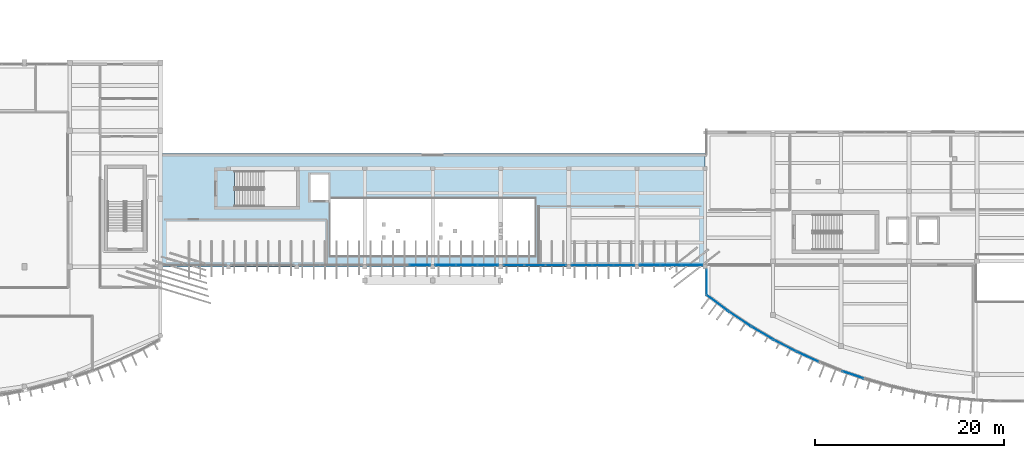
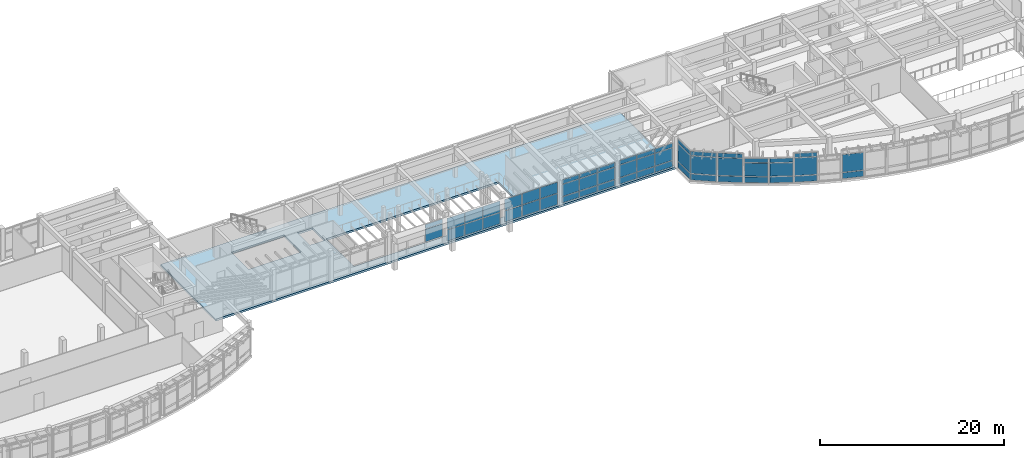
# One storey, part 31 of 60: 52 plates, 1 slab, 12 elements without a shape of their own.
"""IFC4 building model written with IfcOpenShell, lengths in metres."""

from ifc_helpers import new_model, si_unit, direction, frame, origin, origin_2d, place, context, subcontext, project, spatial, polyline, rectangle, outline, extrude, material, layer, layer_set, type_object, element, aggregate, save


model = new_model("IFC4")

# Units and contexts
model_context = context("Model", 3, precision=1e-05, world=origin(), true_north=direction((0.0, 1.0)))
body_context = subcontext(model_context, "Body", "Model", "MODEL_VIEW")
ifc_project = project(units=[si_unit("LENGTHUNIT", "METRE"), si_unit("AREAUNIT", "SQUARE_METRE"), si_unit("VOLUMEUNIT", "CUBIC_METRE"), si_unit("PLANEANGLEUNIT", "RADIAN"), si_unit("MASSUNIT", "GRAM", prefix="KILO")], contexts=[model_context])

# Site, building, storey
site_placement = place(None, origin())
site = spatial("IfcSite", under=ifc_project, at=site_placement, CompositionType="ELEMENT")
building_placement = place(site_placement, origin())
building = spatial("IfcBuilding", under=site, at=building_placement, Name="Brisavento Harbour Community Centre", CompositionType="ELEMENT")
storey_placement = place(building_placement, frame((0.0, 0.0, 4.5)))
storey = spatial("IfcBuildingStorey", under=building, at=storey_placement, Name="L01", CompositionType="ELEMENT", Elevation=4.5)

# Curtain wall, plates
ifc_material_1 = material(Name="Marine-anodised aluminium AW-6063-T6", Category="aluminium")
ifc_layer_1 = layer(ifc_material_1, 0.179931640625, Name="Marine-anodised aluminium AW-6063-T6")
ifc_layer_set_1 = layer_set([ifc_layer_1], Name="Marine-anodised aluminium AW-6063-T6")
curtain_wall_type_1 = type_object("IfcCurtainWallType", Name="CW-SYS-23", PredefinedType="USERDEFINED", material=ifc_layer_set_1)
curtain_wall_1_placement = place(storey_placement, origin())
curtain_wall_1 = element("IfcCurtainWall", 1, at=curtain_wall_1_placement, inside=storey, type_object=curtain_wall_type_1, Name="L01 V2 unitised curtain wall 051", ObjectType="UNITISED CURTAIN WALL", PredefinedType="USERDEFINED")
ifc_material_2 = material(Name="Solar-control laminated low-E glass", Category="glass")
ifc_layer_2 = layer(ifc_material_2, 0.02392578125, Name="Solar-control laminated low-E glass")
ifc_layer_set_2 = layer_set([ifc_layer_2], Name="Solar-control laminated low-E glass")
plate_type_1 = type_object("IfcPlateType", Name="CWP-GLZ-1", PredefinedType="CURTAIN_PANEL", material=ifc_layer_set_2)
plate_1_placement = place(storey_placement, frame((99.441162109375, 14.580078125, 0.074951171875), z_axis=(0.0, 0.0, 1.0), x_axis=(-1.0, 0.0, 0.0)))
plate_1 = element("IfcPlate", 2, at=plate_1_placement, type_object=plate_type_1, Name="CW-23 panel 1.1", PredefinedType="CURTAIN_PANEL", context=body_context, shape_type="SweptSolid", body=[
    extrude(rectangle(XDim=2.1474609375, YDim=0.02392578125, at=origin_2d()), origin(), (0.0, 0.0, 1.0), 0.78759765625),
])
plate_2_placement = place(storey_placement, frame((99.441162109375, 14.580078125, 0.9375), z_axis=(0.0, 0.0, 1.0), x_axis=(-1.0, 0.0, 0.0)))
plate_2 = element("IfcPlate", 3, at=plate_2_placement, type_object=plate_type_1, Name="CW-23 panel 1.2", PredefinedType="CURTAIN_PANEL", context=body_context, shape_type="SweptSolid", body=[
    extrude(rectangle(XDim=2.1474609375, YDim=0.02392578125, at=origin_2d()), origin(), (0.0, 0.0, 1.0), 1.574951171875),
])
plate_3_placement = place(storey_placement, frame((99.441162109375, 14.580078125, 2.58740234375), z_axis=(0.0, 0.0, 1.0), x_axis=(-1.0, 0.0, 0.0)))
plate_3 = element("IfcPlate", 4, at=plate_3_placement, type_object=plate_type_1, Name="CW-23 panel 1.3", PredefinedType="CURTAIN_PANEL", context=body_context, shape_type="SweptSolid", body=[
    extrude(rectangle(XDim=2.1474609375, YDim=0.02392578125, at=origin_2d()), origin(), (0.0, 0.0, 1.0), 0.53759765625),
])
plate_4_placement = place(storey_placement, frame((97.199951171875, 14.580078125, 0.074951171875), z_axis=(0.0, 0.0, 1.0), x_axis=(-1.0, 0.0, 0.0)))
plate_4 = element("IfcPlate", 5, at=plate_4_placement, type_object=plate_type_1, Name="CW-23 panel 2.1", PredefinedType="CURTAIN_PANEL", context=body_context, shape_type="SweptSolid", body=[
    extrude(rectangle(XDim=2.18505859375, YDim=0.02392578125, at=origin_2d()), origin(), (0.0, 0.0, 1.0), 0.78759765625),
])
plate_5_placement = place(storey_placement, frame((97.199951171875, 14.580078125, 0.9375), z_axis=(0.0, 0.0, 1.0), x_axis=(-1.0, 0.0, 0.0)))
plate_5 = element("IfcPlate", 6, at=plate_5_placement, type_object=plate_type_1, Name="CW-23 panel 2.2", PredefinedType="CURTAIN_PANEL", context=body_context, shape_type="SweptSolid", body=[
    extrude(rectangle(XDim=2.18505859375, YDim=0.02392578125, at=origin_2d()), origin(), (0.0, 0.0, 1.0), 1.574951171875),
])
plate_6_placement = place(storey_placement, frame((97.199951171875, 14.580078125, 2.58740234375), z_axis=(0.0, 0.0, 1.0), x_axis=(-1.0, 0.0, 0.0)))
plate_6 = element("IfcPlate", 7, at=plate_6_placement, type_object=plate_type_1, Name="CW-23 panel 2.3", PredefinedType="CURTAIN_PANEL", context=body_context, shape_type="SweptSolid", body=[
    extrude(rectangle(XDim=2.18505859375, YDim=0.02392578125, at=origin_2d()), origin(), (0.0, 0.0, 1.0), 0.53759765625),
])
plate_7_placement = place(storey_placement, frame((94.958740234375, 14.580078125, 0.074951171875), z_axis=(0.0, 0.0, 1.0), x_axis=(-1.0, 0.0, 0.0)))
plate_7 = element("IfcPlate", 8, at=plate_7_placement, type_object=plate_type_1, Name="CW-23 panel 3.1", PredefinedType="CURTAIN_PANEL", context=body_context, shape_type="SweptSolid", body=[
    extrude(rectangle(XDim=2.1474609375, YDim=0.02392578125, at=origin_2d()), origin(), (0.0, 0.0, 1.0), 0.78759765625),
])
plate_8_placement = place(storey_placement, frame((94.958740234375, 14.580078125, 0.9375), z_axis=(0.0, 0.0, 1.0), x_axis=(-1.0, 0.0, 0.0)))
plate_8 = element("IfcPlate", 9, at=plate_8_placement, type_object=plate_type_1, Name="CW-23 panel 3.2", PredefinedType="CURTAIN_PANEL", context=body_context, shape_type="SweptSolid", body=[
    extrude(rectangle(XDim=2.1474609375, YDim=0.02392578125, at=origin_2d()), origin(), (0.0, 0.0, 1.0), 1.574951171875),
])
plate_9_placement = place(storey_placement, frame((94.958740234375, 14.580078125, 2.58740234375), z_axis=(0.0, 0.0, 1.0), x_axis=(-1.0, 0.0, 0.0)))
plate_9 = element("IfcPlate", 10, at=plate_9_placement, type_object=plate_type_1, Name="CW-23 panel 3.3", PredefinedType="CURTAIN_PANEL", context=body_context, shape_type="SweptSolid", body=[
    extrude(rectangle(XDim=2.1474609375, YDim=0.02392578125, at=origin_2d()), origin(), (0.0, 0.0, 1.0), 0.53759765625),
])
aggregate(curtain_wall_1, [plate_1, plate_2, plate_3, plate_4, plate_5, plate_6, plate_7, plate_8, plate_9])

ifc_layer_3 = layer(ifc_material_1, 0.179931640625, Name="Marine-anodised aluminium AW-6063-T6")
ifc_layer_set_3 = layer_set([ifc_layer_3], Name="Marine-anodised aluminium AW-6063-T6")
curtain_wall_type_2 = type_object("IfcCurtainWallType", Name="CW-SYS-05", PredefinedType="USERDEFINED", material=ifc_layer_set_3)
curtain_wall_2_placement = place(storey_placement, origin())
curtain_wall_2 = element("IfcCurtainWall", 11, at=curtain_wall_2_placement, inside=storey, type_object=curtain_wall_type_2, Name="L01 V3 unitised curtain wall 061", ObjectType="UNITISED CURTAIN WALL", PredefinedType="USERDEFINED")
plate_10_placement = place(storey_placement, frame((116.483154296875, 6.04931640625, 0.06494140625), z_axis=(0.0, 0.0, 1.0), x_axis=(-0.887026600781, 0.461718322689, 0.0)))
plate_10 = element("IfcPlate", 12, at=plate_10_placement, type_object=plate_type_1, Name="CW-05 panel 1.1", PredefinedType="CURTAIN_PANEL", context=body_context, shape_type="SweptSolid", body=[
    extrude(rectangle(XDim=2.53955078125, YDim=0.02392578125, at=origin_2d()), origin(), (0.0, 0.0, 1.0), 0.802490234375),
])
plate_11_placement = place(storey_placement, frame((116.483154296875, 6.04931640625, 0.9326171875), z_axis=(0.0, 0.0, 1.0), x_axis=(-0.887026600781, 0.461718322689, 0.0)))
plate_11 = element("IfcPlate", 13, at=plate_11_placement, type_object=plate_type_1, Name="CW-05 panel 1.2", PredefinedType="CURTAIN_PANEL", context=body_context, shape_type="SweptSolid", body=[
    extrude(rectangle(XDim=2.53955078125, YDim=0.02392578125, at=origin_2d()), origin(), (0.0, 0.0, 1.0), 1.735107421875),
])
plate_12_placement = place(storey_placement, frame((116.483154296875, 6.04931640625, 2.732421875), z_axis=(0.0, 0.0, 1.0), x_axis=(-0.887026600781, 0.461718322689, 0.0)))
plate_12 = element("IfcPlate", 14, at=plate_12_placement, type_object=plate_type_1, Name="CW-05 panel 1.3", PredefinedType="CURTAIN_PANEL", context=body_context, shape_type="SweptSolid", body=[
    extrude(rectangle(XDim=2.53955078125, YDim=0.02392578125, at=origin_2d()), origin(), (0.0, 0.0, 1.0), 0.552490234375),
])
aggregate(curtain_wall_2, [plate_10, plate_11, plate_12])

ifc_layer_4 = layer(ifc_material_1, 0.179931640625, Name="Marine-anodised aluminium AW-6063-T6")
ifc_layer_set_4 = layer_set([ifc_layer_4], Name="Marine-anodised aluminium AW-6063-T6")
curtain_wall_type_3 = type_object("IfcCurtainWallType", Name="CW-SYS-07", PredefinedType="USERDEFINED", material=ifc_layer_set_4)
curtain_wall_3_placement = place(storey_placement, origin())
curtain_wall_3 = element("IfcCurtainWall", 15, at=curtain_wall_3_placement, inside=storey, type_object=curtain_wall_type_3, Name="L01 V3 unitised curtain wall 091", ObjectType="UNITISED CURTAIN WALL", PredefinedType="USERDEFINED")
plate_13_placement = place(storey_placement, frame((108.179931640625, 12.767822265625, 0.074951171875), z_axis=(0.0, 0.0, 1.0), x_axis=(0.0, 1.0, 0.0)))
plate_13 = element("IfcPlate", 16, at=plate_13_placement, type_object=plate_type_1, Name="CW-07 panel 1.1", PredefinedType="CURTAIN_PANEL", context=body_context, shape_type="SweptSolid", body=[
    extrude(rectangle(XDim=2.6943359375, YDim=0.02392578125, at=origin_2d()), origin(), (0.0, 0.0, 1.0), 0.78759765625),
])
plate_14_placement = place(storey_placement, frame((108.179931640625, 12.767822265625, 0.9375), z_axis=(0.0, 0.0, 1.0), x_axis=(0.0, 1.0, 0.0)))
plate_14 = element("IfcPlate", 17, at=plate_14_placement, type_object=plate_type_1, Name="CW-07 panel 1.2", PredefinedType="CURTAIN_PANEL", context=body_context, shape_type="SweptSolid", body=[
    extrude(rectangle(XDim=2.6943359375, YDim=0.02392578125, at=origin_2d()), origin(), (0.0, 0.0, 1.0), 2.324951171875),
])
plate_15_placement = place(storey_placement, frame((108.179931640625, 12.767822265625, 3.33740234375), z_axis=(0.0, 0.0, 1.0), x_axis=(0.0, 1.0, 0.0)))
plate_15 = element("IfcPlate", 18, at=plate_15_placement, type_object=plate_type_1, Name="CW-07 panel 1.3", PredefinedType="CURTAIN_PANEL", context=body_context, shape_type="SweptSolid", body=[
    extrude(rectangle(XDim=2.6943359375, YDim=0.02392578125, at=origin_2d()), origin(), (0.0, 0.0, 1.0), 0.53759765625),
])
aggregate(curtain_wall_3, [plate_13, plate_14, plate_15])

ifc_layer_5 = layer(ifc_material_1, 0.179931640625, Name="Marine-anodised aluminium AW-6063-T6")
ifc_layer_set_5 = layer_set([ifc_layer_5], Name="Marine-anodised aluminium AW-6063-T6")
curtain_wall_type_4 = type_object("IfcCurtainWallType", Name="CW-SYS-24", PredefinedType="USERDEFINED", material=ifc_layer_set_5)
curtain_wall_4_placement = place(storey_placement, origin())
curtain_wall_4 = element("IfcCurtainWall", 19, at=curtain_wall_4_placement, inside=storey, type_object=curtain_wall_type_4, Name="L01 V2 unitised curtain wall 052", ObjectType="UNITISED CURTAIN WALL", PredefinedType="USERDEFINED")
ifc_layer_6 = layer(ifc_material_2, 0.028076171875, Name="Solar-control laminated low-E glass")
ifc_layer_set_6 = layer_set([ifc_layer_6], Name="Solar-control laminated low-E glass")
plate_type_2 = type_object("IfcPlateType", Name="CWP-GLZ-2", PredefinedType="CURTAIN_PANEL", material=ifc_layer_set_6)
plate_16_placement = place(storey_placement, frame((92.239990234375, 14.580078125, 0.080078125), z_axis=(0.0, 0.0, 1.0), x_axis=(-1.0, 0.0, 0.0)))
plate_16 = element("IfcPlate", 20, at=plate_16_placement, type_object=plate_type_2, Name="CW-24 panel 1.1", PredefinedType="CURTAIN_PANEL", context=body_context, shape_type="SweptSolid", body=[
    extrude(rectangle(XDim=2.139892578125, YDim=0.028076171875, at=origin_2d()), origin(), (0.0, 0.0, 1.0), 1.455078125),
])
plate_17_placement = place(storey_placement, frame((92.239990234375, 14.580078125, 1.614990234375), z_axis=(0.0, 0.0, 1.0), x_axis=(-1.0, 0.0, 0.0)))
plate_17 = element("IfcPlate", 21, at=plate_17_placement, type_object=plate_type_2, Name="CW-24 panel 1.2", PredefinedType="CURTAIN_PANEL", context=body_context, shape_type="SweptSolid", body=[
    extrude(rectangle(XDim=2.139892578125, YDim=0.028076171875, at=origin_2d()), origin(), (0.0, 0.0, 1.0), 1.455078125),
])
plate_18_placement = place(storey_placement, frame((90.0, 14.580078125, 0.080078125), z_axis=(0.0, 0.0, 1.0), x_axis=(-1.0, 0.0, 0.0)))
plate_18 = element("IfcPlate", 22, at=plate_18_placement, type_object=plate_type_2, Name="CW-24 panel 2.1", PredefinedType="CURTAIN_PANEL", context=body_context, shape_type="SweptSolid", body=[
    extrude(rectangle(XDim=2.179931640625, YDim=0.028076171875, at=origin_2d()), origin(), (0.0, 0.0, 1.0), 1.455078125),
])
plate_19_placement = place(storey_placement, frame((90.0, 14.580078125, 1.614990234375), z_axis=(0.0, 0.0, 1.0), x_axis=(-1.0, 0.0, 0.0)))
plate_19 = element("IfcPlate", 23, at=plate_19_placement, type_object=plate_type_2, Name="CW-24 panel 2.2", PredefinedType="CURTAIN_PANEL", context=body_context, shape_type="SweptSolid", body=[
    extrude(rectangle(XDim=2.179931640625, YDim=0.028076171875, at=origin_2d()), origin(), (0.0, 0.0, 1.0), 1.455078125),
])
plate_20_placement = place(storey_placement, frame((87.760009765625, 14.580078125, 0.080078125), z_axis=(0.0, 0.0, 1.0), x_axis=(-1.0, 0.0, 0.0)))
plate_20 = element("IfcPlate", 24, at=plate_20_placement, type_object=plate_type_2, Name="CW-24 panel 3.1", PredefinedType="CURTAIN_PANEL", context=body_context, shape_type="SweptSolid", body=[
    extrude(rectangle(XDim=2.139892578125, YDim=0.028076171875, at=origin_2d()), origin(), (0.0, 0.0, 1.0), 1.455078125),
])
plate_21_placement = place(storey_placement, frame((87.760009765625, 14.580078125, 1.614990234375), z_axis=(0.0, 0.0, 1.0), x_axis=(-1.0, 0.0, 0.0)))
plate_21 = element("IfcPlate", 25, at=plate_21_placement, type_object=plate_type_2, Name="CW-24 panel 3.2", PredefinedType="CURTAIN_PANEL", context=body_context, shape_type="SweptSolid", body=[
    extrude(rectangle(XDim=2.139892578125, YDim=0.028076171875, at=origin_2d()), origin(), (0.0, 0.0, 1.0), 1.455078125),
])
aggregate(curtain_wall_4, [plate_16, plate_17, plate_18, plate_19, plate_20, plate_21])

ifc_layer_7 = layer(ifc_material_1, 0.179931640625, Name="Marine-anodised aluminium AW-6063-T6")
ifc_layer_set_7 = layer_set([ifc_layer_7], Name="Marine-anodised aluminium AW-6063-T6")
curtain_wall_type_5 = type_object("IfcCurtainWallType", Name="CW-SYS-06", PredefinedType="USERDEFINED", material=ifc_layer_set_7)
curtain_wall_5_placement = place(storey_placement, origin())
curtain_wall_5 = element("IfcCurtainWall", 26, at=curtain_wall_5_placement, inside=storey, type_object=curtain_wall_type_5, Name="L01 V3 unitised curtain wall 062", ObjectType="UNITISED CURTAIN WALL", PredefinedType="USERDEFINED")
plate_22_placement = place(storey_placement, frame((118.874755859375, 4.880615234375, 0.070068359375), z_axis=(0.0, 0.0, 1.0), x_axis=(-0.909597727846, 0.415490040189, 0.0)))
plate_22 = element("IfcPlate", 27, at=plate_22_placement, type_object=plate_type_2, Name="CW-06 panel 1.1", PredefinedType="CURTAIN_PANEL", context=body_context, shape_type="SweptSolid", body=[
    extrude(rectangle(XDim=2.46240234375, YDim=0.028076171875, at=origin_2d()), origin(), (0.0, 0.0, 1.0), 0.794921875),
])
plate_23_placement = place(storey_placement, frame((118.874755859375, 4.880615234375, 0.93505859375), z_axis=(0.0, 0.0, 1.0), x_axis=(-0.909597727846, 0.415490040189, 0.0)))
plate_23 = element("IfcPlate", 28, at=plate_23_placement, type_object=plate_type_2, Name="CW-06 panel 1.2", PredefinedType="CURTAIN_PANEL", context=body_context, shape_type="SweptSolid", body=[
    extrude(rectangle(XDim=2.46240234375, YDim=0.028076171875, at=origin_2d()), origin(), (0.0, 0.0, 1.0), 2.330078125),
])
plate_24_placement = place(storey_placement, frame((118.874755859375, 4.880615234375, 3.3349609375), z_axis=(0.0, 0.0, 1.0), x_axis=(-0.909597727846, 0.415490040189, 0.0)))
plate_24 = element("IfcPlate", 29, at=plate_24_placement, type_object=plate_type_2, Name="CW-06 panel 1.3", PredefinedType="CURTAIN_PANEL", context=body_context, shape_type="SweptSolid", body=[
    extrude(rectangle(XDim=2.46240234375, YDim=0.028076171875, at=origin_2d()), origin(), (0.0, 0.0, 1.0), 0.544921875),
])
aggregate(curtain_wall_5, [plate_22, plate_23, plate_24])

ifc_layer_8 = layer(ifc_material_1, 0.179931640625, Name="Marine-anodised aluminium AW-6063-T6")
ifc_layer_set_8 = layer_set([ifc_layer_8], Name="Marine-anodised aluminium AW-6063-T6")
curtain_wall_type_6 = type_object("IfcCurtainWallType", Name="CW-SYS-25", PredefinedType="USERDEFINED", material=ifc_layer_set_8)
curtain_wall_6_placement = place(storey_placement, origin())
curtain_wall_6 = element("IfcCurtainWall", 30, at=curtain_wall_6_placement, inside=storey, type_object=curtain_wall_type_6, Name="L01 V2 unitised curtain wall 053", ObjectType="UNITISED CURTAIN WALL", PredefinedType="USERDEFINED")
ifc_layer_9 = layer(ifc_material_2, 0.031982421875, Name="Solar-control laminated low-E glass")
ifc_layer_set_9 = layer_set([ifc_layer_9], Name="Solar-control laminated low-E glass")
plate_type_3 = type_object("IfcPlateType", Name="CWP-GLZ-3", PredefinedType="CURTAIN_PANEL", material=ifc_layer_set_9)
plate_25_placement = place(storey_placement, frame((85.043701171875, 14.580078125, 0.06494140625), z_axis=(0.0, 0.0, 1.0), x_axis=(-1.0, 0.0, 0.0)))
plate_25 = element("IfcPlate", 31, at=plate_25_placement, type_object=plate_type_3, Name="CW-25 panel 1.1", PredefinedType="CURTAIN_PANEL", context=body_context, shape_type="SweptSolid", body=[
    extrude(rectangle(XDim=2.16259765625, YDim=0.031982421875, at=origin_2d()), origin(), (0.0, 0.0, 1.0), 1.4775390625),
])
plate_26_placement = place(storey_placement, frame((85.043701171875, 14.580078125, 1.607421875), z_axis=(0.0, 0.0, 1.0), x_axis=(-1.0, 0.0, 0.0)))
plate_26 = element("IfcPlate", 32, at=plate_26_placement, type_object=plate_type_3, Name="CW-25 panel 1.2", PredefinedType="CURTAIN_PANEL", context=body_context, shape_type="SweptSolid", body=[
    extrude(rectangle(XDim=2.16259765625, YDim=0.031982421875, at=origin_2d()), origin(), (0.0, 0.0, 1.0), 1.4775390625),
])
plate_27_placement = place(storey_placement, frame((82.800048828125, 14.580078125, 0.06494140625), z_axis=(0.0, 0.0, 1.0), x_axis=(-1.0, 0.0, 0.0)))
plate_27 = element("IfcPlate", 33, at=plate_27_placement, type_object=plate_type_3, Name="CW-25 panel 2.1", PredefinedType="CURTAIN_PANEL", context=body_context, shape_type="SweptSolid", body=[
    extrude(rectangle(XDim=2.195068359375, YDim=0.031982421875, at=origin_2d()), origin(), (0.0, 0.0, 1.0), 1.4775390625),
])
plate_28_placement = place(storey_placement, frame((82.800048828125, 14.580078125, 1.607421875), z_axis=(0.0, 0.0, 1.0), x_axis=(-1.0, 0.0, 0.0)))
plate_28 = element("IfcPlate", 34, at=plate_28_placement, type_object=plate_type_3, Name="CW-25 panel 2.2", PredefinedType="CURTAIN_PANEL", context=body_context, shape_type="SweptSolid", body=[
    extrude(rectangle(XDim=2.195068359375, YDim=0.031982421875, at=origin_2d()), origin(), (0.0, 0.0, 1.0), 1.4775390625),
])
plate_29_placement = place(storey_placement, frame((80.55615234375, 14.580078125, 0.06494140625), z_axis=(0.0, 0.0, 1.0), x_axis=(-1.0, 0.0, 0.0)))
plate_29 = element("IfcPlate", 35, at=plate_29_placement, type_object=plate_type_3, Name="CW-25 panel 3.1", PredefinedType="CURTAIN_PANEL", context=body_context, shape_type="SweptSolid", body=[
    extrude(rectangle(XDim=2.16259765625, YDim=0.031982421875, at=origin_2d()), origin(), (0.0, 0.0, 1.0), 1.4775390625),
])
plate_30_placement = place(storey_placement, frame((80.55615234375, 14.580078125, 1.607421875), z_axis=(0.0, 0.0, 1.0), x_axis=(-1.0, 0.0, 0.0)))
plate_30 = element("IfcPlate", 36, at=plate_30_placement, type_object=plate_type_3, Name="CW-25 panel 3.2", PredefinedType="CURTAIN_PANEL", context=body_context, shape_type="SweptSolid", body=[
    extrude(rectangle(XDim=2.16259765625, YDim=0.031982421875, at=origin_2d()), origin(), (0.0, 0.0, 1.0), 1.4775390625),
])
aggregate(curtain_wall_6, [plate_25, plate_26, plate_27, plate_28, plate_29, plate_30])

ifc_layer_10 = layer(ifc_material_1, 0.179931640625, Name="Marine-anodised aluminium AW-6063-T6")
ifc_layer_set_10 = layer_set([ifc_layer_10], Name="Marine-anodised aluminium AW-6063-T6")
curtain_wall_type_7 = type_object("IfcCurtainWallType", Name="CW-SYS-02", PredefinedType="USERDEFINED", material=ifc_layer_set_10)
curtain_wall_7_placement = place(storey_placement, origin())
curtain_wall_7 = element("IfcCurtainWall", 37, at=curtain_wall_7_placement, inside=storey, type_object=curtain_wall_type_7, Name="L01 V3 unitised curtain wall 058", ObjectType="UNITISED CURTAIN WALL", PredefinedType="USERDEFINED")
plate_31_placement = place(storey_placement, frame((109.30810546875, 10.571044921875, 0.070068359375), z_axis=(0.0, 0.0, 1.0), x_axis=(-0.79980567328, 0.600259014917, 0.0)))
plate_31 = element("IfcPlate", 38, at=plate_31_placement, type_object=plate_type_3, Name="CW-02 panel 1.1", PredefinedType="CURTAIN_PANEL", context=body_context, shape_type="SweptSolid", body=[
    extrude(rectangle(XDim=2.82470703125, YDim=0.031982421875, at=origin_2d()), origin(), (0.0, 0.0, 1.0), 0.794921875),
])
plate_32_placement = place(storey_placement, frame((109.30810546875, 10.571044921875, 0.93505859375), z_axis=(0.0, 0.0, 1.0), x_axis=(-0.79980567328, 0.600259014917, 0.0)))
plate_32 = element("IfcPlate", 39, at=plate_32_placement, type_object=plate_type_3, Name="CW-02 panel 1.2", PredefinedType="CURTAIN_PANEL", context=body_context, shape_type="SweptSolid", body=[
    extrude(rectangle(XDim=2.82470703125, YDim=0.031982421875, at=origin_2d()), origin(), (0.0, 0.0, 1.0), 2.330078125),
])
plate_33_placement = place(storey_placement, frame((109.30810546875, 10.571044921875, 3.3349609375), z_axis=(0.0, 0.0, 1.0), x_axis=(-0.79980567328, 0.600259014917, 0.0)))
plate_33 = element("IfcPlate", 40, at=plate_33_placement, type_object=plate_type_3, Name="CW-02 panel 1.3", PredefinedType="CURTAIN_PANEL", context=body_context, shape_type="SweptSolid", body=[
    extrude(rectangle(XDim=2.82470703125, YDim=0.031982421875, at=origin_2d()), origin(), (0.0, 0.0, 1.0), 0.544921875),
])
aggregate(curtain_wall_7, [plate_31, plate_32, plate_33])

ifc_layer_11 = layer(ifc_material_1, 0.179931640625, Name="Marine-anodised aluminium AW-6063-T6")
ifc_layer_set_11 = layer_set([ifc_layer_11], Name="Marine-anodised aluminium AW-6063-T6")
curtain_wall_type_8 = type_object("IfcCurtainWallType", Name="CW-SYS-26", PredefinedType="USERDEFINED", material=ifc_layer_set_11)
curtain_wall_8_placement = place(storey_placement, origin())
curtain_wall_8 = element("IfcCurtainWall", 41, at=curtain_wall_8_placement, inside=storey, type_object=curtain_wall_type_8, Name="L01 V2 unitised curtain wall 054", ObjectType="UNITISED CURTAIN WALL", PredefinedType="USERDEFINED")
ifc_layer_12 = layer(ifc_material_2, 0.035888671875, Name="Solar-control laminated low-E glass")
ifc_layer_set_12 = layer_set([ifc_layer_12], Name="Solar-control laminated low-E glass")
plate_type_4 = type_object("IfcPlateType", Name="CWP-GLZ-4", PredefinedType="CURTAIN_PANEL", material=ifc_layer_set_12)
plate_34_placement = place(storey_placement, frame((77.842529296875, 14.580078125, 0.93505859375), z_axis=(0.0, 0.0, 1.0), x_axis=(-1.0, 0.0, 0.0)))
plate_34 = element("IfcPlate", 42, at=plate_34_placement, type_object=plate_type_4, Name="CW-26 panel 1.2", PredefinedType="CURTAIN_PANEL", context=body_context, shape_type="SweptSolid", body=[
    extrude(rectangle(XDim=2.155029296875, YDim=0.035888671875, at=origin_2d()), origin(), (0.0, 0.0, 1.0), 1.679931640625),
])
plate_35_placement = place(storey_placement, frame((77.842529296875, 14.580078125, 2.68505859375), z_axis=(0.0, 0.0, 1.0), x_axis=(-1.0, 0.0, 0.0)))
plate_35 = element("IfcPlate", 43, at=plate_35_placement, type_object=plate_type_4, Name="CW-26 panel 1.3", PredefinedType="CURTAIN_PANEL", context=body_context, shape_type="SweptSolid", body=[
    extrude(rectangle(XDim=2.155029296875, YDim=0.035888671875, at=origin_2d()), origin(), (0.0, 0.0, 1.0), 0.544921875),
])
aggregate(curtain_wall_8, [plate_34, plate_35])

ifc_layer_13 = layer(ifc_material_1, 0.179931640625, Name="Marine-anodised aluminium AW-6063-T6")
ifc_layer_set_13 = layer_set([ifc_layer_13], Name="Marine-anodised aluminium AW-6063-T6")
curtain_wall_type_9 = type_object("IfcCurtainWallType", Name="CW-SYS-03", PredefinedType="USERDEFINED", material=ifc_layer_set_13)
curtain_wall_9_placement = place(storey_placement, origin())
curtain_wall_9 = element("IfcCurtainWall", 44, at=curtain_wall_9_placement, inside=storey, type_object=curtain_wall_type_9, Name="L01 V3 unitised curtain wall 059", ObjectType="UNITISED CURTAIN WALL", PredefinedType="USERDEFINED")
plate_36_placement = place(storey_placement, frame((111.69970703125, 8.877685546875, 0.074951171875), z_axis=(0.0, 0.0, 1.0), x_axis=(-0.832471558705, 0.554067779199, 0.0)))
plate_36 = element("IfcPlate", 45, at=plate_36_placement, type_object=plate_type_4, Name="CW-03 panel 1.1", PredefinedType="CURTAIN_PANEL", context=body_context, shape_type="SweptSolid", body=[
    extrude(rectangle(XDim=2.697021484375, YDim=0.035888671875, at=origin_2d()), origin(), (0.0, 0.0, 1.0), 0.78759765625),
])
plate_37_placement = place(storey_placement, frame((111.69970703125, 8.877685546875, 0.9375), z_axis=(0.0, 0.0, 1.0), x_axis=(-0.832471558705, 0.554067779199, 0.0)))
plate_37 = element("IfcPlate", 46, at=plate_37_placement, type_object=plate_type_4, Name="CW-03 panel 1.2", PredefinedType="CURTAIN_PANEL", context=body_context, shape_type="SweptSolid", body=[
    extrude(rectangle(XDim=2.697021484375, YDim=0.035888671875, at=origin_2d()), origin(), (0.0, 0.0, 1.0), 2.324951171875),
])
plate_38_placement = place(storey_placement, frame((111.69970703125, 8.877685546875, 3.33740234375), z_axis=(0.0, 0.0, 1.0), x_axis=(-0.832471558705, 0.554067779199, 0.0)))
plate_38 = element("IfcPlate", 47, at=plate_38_placement, type_object=plate_type_4, Name="CW-03 panel 1.3", PredefinedType="CURTAIN_PANEL", context=body_context, shape_type="SweptSolid", body=[
    extrude(rectangle(XDim=2.697021484375, YDim=0.035888671875, at=origin_2d()), origin(), (0.0, 0.0, 1.0), 0.53759765625),
])
aggregate(curtain_wall_9, [plate_36, plate_37, plate_38])

ifc_layer_14 = layer(ifc_material_1, 0.179931640625, Name="Marine-anodised aluminium AW-6063-T6")
ifc_layer_set_14 = layer_set([ifc_layer_14], Name="Marine-anodised aluminium AW-6063-T6")
curtain_wall_type_10 = type_object("IfcCurtainWallType", Name="CW-SYS-08", PredefinedType="USERDEFINED", material=ifc_layer_set_14)
curtain_wall_10_placement = place(storey_placement, origin())
curtain_wall_10 = element("IfcCurtainWall", 48, at=curtain_wall_10_placement, inside=storey, type_object=curtain_wall_type_10, Name="L01 V3 unitised curtain wall 064", ObjectType="UNITISED CURTAIN WALL", PredefinedType="USERDEFINED")
plate_39_placement = place(storey_placement, frame((123.658203125, 2.975341796875, 0.080078125), z_axis=(0.0, 0.0, 1.0), x_axis=(-0.94633792227, 0.32317880016, 0.0)))
plate_39 = element("IfcPlate", 49, at=plate_39_placement, type_object=plate_type_4, Name="CW-08 panel 1.1", PredefinedType="CURTAIN_PANEL", context=body_context, shape_type="SweptSolid", body=[
    extrude(rectangle(XDim=2.340087890625, YDim=0.035888671875, at=origin_2d()), origin(), (0.0, 0.0, 1.0), 0.780029296875),
])
plate_40_placement = place(storey_placement, frame((123.658203125, 2.975341796875, 0.93994140625), z_axis=(0.0, 0.0, 1.0), x_axis=(-0.94633792227, 0.32317880016, 0.0)))
plate_40 = element("IfcPlate", 50, at=plate_40_placement, type_object=plate_type_4, Name="CW-08 panel 1.2", PredefinedType="CURTAIN_PANEL", context=body_context, shape_type="SweptSolid", body=[
    extrude(rectangle(XDim=2.340087890625, YDim=0.035888671875, at=origin_2d()), origin(), (0.0, 0.0, 1.0), 2.320068359375),
])
aggregate(curtain_wall_10, [plate_39, plate_40])

ifc_layer_15 = layer(ifc_material_1, 0.179931640625, Name="Marine-anodised aluminium AW-6063-T6")
ifc_layer_set_15 = layer_set([ifc_layer_15], Name="Marine-anodised aluminium AW-6063-T6")
curtain_wall_type_11 = type_object("IfcCurtainWallType", Name="CW-SYS-22", PredefinedType="USERDEFINED", material=ifc_layer_set_15)
curtain_wall_11_placement = place(storey_placement, origin())
curtain_wall_11 = element("IfcCurtainWall", 51, at=curtain_wall_11_placement, inside=storey, type_object=curtain_wall_type_11, Name="L01 V2 unitised curtain wall 050", ObjectType="UNITISED CURTAIN WALL", PredefinedType="USERDEFINED")
ifc_layer_16 = layer(ifc_material_2, 0.0400390625, Name="Solar-control laminated low-E glass")
ifc_layer_set_16 = layer_set([ifc_layer_16], Name="Solar-control laminated low-E glass")
plate_type_5 = type_object("IfcPlateType", Name="CWP-GLZ-5", PredefinedType="CURTAIN_PANEL", material=ifc_layer_set_16)
plate_41_placement = place(storey_placement, frame((106.642578125, 14.580078125, 0.070068359375), z_axis=(0.0, 0.0, 1.0), x_axis=(-1.0, 0.0, 0.0)))
plate_41 = element("IfcPlate", 52, at=plate_41_placement, type_object=plate_type_5, Name="CW-22 panel 1.1", PredefinedType="CURTAIN_PANEL", context=body_context, shape_type="SweptSolid", body=[
    extrude(rectangle(XDim=2.155029296875, YDim=0.0400390625, at=origin_2d()), origin(), (0.0, 0.0, 1.0), 0.794921875),
])
plate_42_placement = place(storey_placement, frame((106.642578125, 14.580078125, 0.93505859375), z_axis=(0.0, 0.0, 1.0), x_axis=(-1.0, 0.0, 0.0)))
plate_42 = element("IfcPlate", 53, at=plate_42_placement, type_object=plate_type_5, Name="CW-22 panel 1.2", PredefinedType="CURTAIN_PANEL", context=body_context, shape_type="SweptSolid", body=[
    extrude(rectangle(XDim=2.155029296875, YDim=0.0400390625, at=origin_2d()), origin(), (0.0, 0.0, 1.0), 1.6298828125),
])
plate_43_placement = place(storey_placement, frame((106.642578125, 14.580078125, 2.635009765625), z_axis=(0.0, 0.0, 1.0), x_axis=(-1.0, 0.0, 0.0)))
plate_43 = element("IfcPlate", 54, at=plate_43_placement, type_object=plate_type_5, Name="CW-22 panel 1.3", PredefinedType="CURTAIN_PANEL", context=body_context, shape_type="SweptSolid", body=[
    extrude(rectangle(XDim=2.155029296875, YDim=0.0400390625, at=origin_2d()), origin(), (0.0, 0.0, 1.0), 0.544921875),
])
plate_44_placement = place(storey_placement, frame((104.39990234375, 14.580078125, 0.070068359375), z_axis=(0.0, 0.0, 1.0), x_axis=(-1.0, 0.0, 0.0)))
plate_44 = element("IfcPlate", 55, at=plate_44_placement, type_object=plate_type_5, Name="CW-22 panel 2.1", PredefinedType="CURTAIN_PANEL", context=body_context, shape_type="SweptSolid", body=[
    extrude(rectangle(XDim=2.18994140625, YDim=0.0400390625, at=origin_2d()), origin(), (0.0, 0.0, 1.0), 0.794921875),
])
plate_45_placement = place(storey_placement, frame((104.39990234375, 14.580078125, 0.93505859375), z_axis=(0.0, 0.0, 1.0), x_axis=(-1.0, 0.0, 0.0)))
plate_45 = element("IfcPlate", 56, at=plate_45_placement, type_object=plate_type_5, Name="CW-22 panel 2.2", PredefinedType="CURTAIN_PANEL", context=body_context, shape_type="SweptSolid", body=[
    extrude(rectangle(XDim=2.18994140625, YDim=0.0400390625, at=origin_2d()), origin(), (0.0, 0.0, 1.0), 1.6298828125),
])
plate_46_placement = place(storey_placement, frame((104.39990234375, 14.580078125, 2.635009765625), z_axis=(0.0, 0.0, 1.0), x_axis=(-1.0, 0.0, 0.0)))
plate_46 = element("IfcPlate", 57, at=plate_46_placement, type_object=plate_type_5, Name="CW-22 panel 2.3", PredefinedType="CURTAIN_PANEL", context=body_context, shape_type="SweptSolid", body=[
    extrude(rectangle(XDim=2.18994140625, YDim=0.0400390625, at=origin_2d()), origin(), (0.0, 0.0, 1.0), 0.544921875),
])
plate_47_placement = place(storey_placement, frame((102.157470703125, 14.580078125, 0.070068359375), z_axis=(0.0, 0.0, 1.0), x_axis=(-1.0, 0.0, 0.0)))
plate_47 = element("IfcPlate", 58, at=plate_47_placement, type_object=plate_type_5, Name="CW-22 panel 3.1", PredefinedType="CURTAIN_PANEL", context=body_context, shape_type="SweptSolid", body=[
    extrude(rectangle(XDim=2.155029296875, YDim=0.0400390625, at=origin_2d()), origin(), (0.0, 0.0, 1.0), 0.794921875),
])
plate_48_placement = place(storey_placement, frame((102.157470703125, 14.580078125, 0.93505859375), z_axis=(0.0, 0.0, 1.0), x_axis=(-1.0, 0.0, 0.0)))
plate_48 = element("IfcPlate", 59, at=plate_48_placement, type_object=plate_type_5, Name="CW-22 panel 3.2", PredefinedType="CURTAIN_PANEL", context=body_context, shape_type="SweptSolid", body=[
    extrude(rectangle(XDim=2.155029296875, YDim=0.0400390625, at=origin_2d()), origin(), (0.0, 0.0, 1.0), 1.6298828125),
])
plate_49_placement = place(storey_placement, frame((102.157470703125, 14.580078125, 2.635009765625), z_axis=(0.0, 0.0, 1.0), x_axis=(-1.0, 0.0, 0.0)))
plate_49 = element("IfcPlate", 60, at=plate_49_placement, type_object=plate_type_5, Name="CW-22 panel 3.3", PredefinedType="CURTAIN_PANEL", context=body_context, shape_type="SweptSolid", body=[
    extrude(rectangle(XDim=2.155029296875, YDim=0.0400390625, at=origin_2d()), origin(), (0.0, 0.0, 1.0), 0.544921875),
])
aggregate(curtain_wall_11, [plate_41, plate_42, plate_43, plate_44, plate_45, plate_46, plate_47, plate_48, plate_49])

ifc_layer_17 = layer(ifc_material_1, 0.179931640625, Name="Marine-anodised aluminium AW-6063-T6")
ifc_layer_set_17 = layer_set([ifc_layer_17], Name="Marine-anodised aluminium AW-6063-T6")
curtain_wall_type_12 = type_object("IfcCurtainWallType", Name="CW-SYS-04", PredefinedType="USERDEFINED", material=ifc_layer_set_17)
curtain_wall_12_placement = place(storey_placement, origin())
curtain_wall_12 = element("IfcCurtainWall", 61, at=curtain_wall_12_placement, inside=storey, type_object=curtain_wall_type_12, Name="L01 V3 unitised curtain wall 060", ObjectType="UNITISED CURTAIN WALL", PredefinedType="USERDEFINED")
plate_50_placement = place(storey_placement, frame((114.09130859375, 7.376708984375, 0.080078125), z_axis=(0.0, 0.0, 1.0), x_axis=(-0.861429947925, 0.50787640703, 0.0)))
plate_50 = element("IfcPlate", 62, at=plate_50_placement, type_object=plate_type_5, Name="CW-04 panel 1.1", PredefinedType="CURTAIN_PANEL", context=body_context, shape_type="SweptSolid", body=[
    extrude(rectangle(XDim=2.590087890625, YDim=0.0400390625, at=origin_2d()), origin(), (0.0, 0.0, 1.0), 0.780029296875),
])
plate_51_placement = place(storey_placement, frame((114.09130859375, 7.376708984375, 0.93994140625), z_axis=(0.0, 0.0, 1.0), x_axis=(-0.861429947925, 0.50787640703, 0.0)))
plate_51 = element("IfcPlate", 63, at=plate_51_placement, type_object=plate_type_5, Name="CW-04 panel 1.2", PredefinedType="CURTAIN_PANEL", context=body_context, shape_type="SweptSolid", body=[
    extrude(rectangle(XDim=2.590087890625, YDim=0.0400390625, at=origin_2d()), origin(), (0.0, 0.0, 1.0), 1.719970703125),
])
plate_52_placement = place(storey_placement, frame((114.09130859375, 7.376708984375, 2.73974609375), z_axis=(0.0, 0.0, 1.0), x_axis=(-0.861429947925, 0.50787640703, 0.0)))
plate_52 = element("IfcPlate", 64, at=plate_52_placement, type_object=plate_type_5, Name="CW-04 panel 1.3", PredefinedType="CURTAIN_PANEL", context=body_context, shape_type="SweptSolid", body=[
    extrude(rectangle(XDim=2.590087890625, YDim=0.0400390625, at=origin_2d()), origin(), (0.0, 0.0, 1.0), 0.530029296875),
])
aggregate(curtain_wall_12, [plate_50, plate_51, plate_52])

# Slab
ifc_material_3 = material(Name="Concrete C35/45", Category="concrete")
ifc_layer_18 = layer(ifc_material_3, 0.260009765625, Name="Concrete C35/45")
ifc_layer_set_18 = layer_set([ifc_layer_18], Name="Concrete C35/45")
slab_type = type_object("IfcSlabType", Name="SLB-FLR-260", PredefinedType="FLOOR", material=ifc_layer_set_18)
slab_placement = place(storey_placement, frame((0.0, 0.0, -0.260009765625)))
element("IfcSlab", 65, at=slab_placement, inside=storey, type_object=slab_type, Name="L01 V2 structural floor slab 022", PredefinedType="FLOOR", context=body_context, shape_type="SweptSolid", body=[
    extrude(outline(polyline([(50.39990234375, 14.39990234375), (108.0, 14.39990234375), (108.0, 26.39990234375), (50.39990234375, 26.39990234375), (50.39990234375, 14.39990234375)]), holes=[polyline([(90.0, 15.60009765625), (68.39990234375, 15.60009765625), (68.39990234375, 21.60009765625), (90.0, 21.60009765625), (90.0, 15.60009765625)]), polyline([(58.2080078125, 20.80810546875), (58.2080078125, 24.5419921875), (64.7919921875, 24.5419921875), (64.7919921875, 20.80810546875), (58.2080078125, 20.80810546875)]), polyline([(66.25, 21.449951171875), (66.25, 24.14990234375), (68.14990234375, 24.14990234375), (68.14990234375, 21.449951171875), (66.25, 21.449951171875)])]), origin(), (0.0, 0.0, 1.0), 0.260009765625),
])

save(model, "model.ifc")
